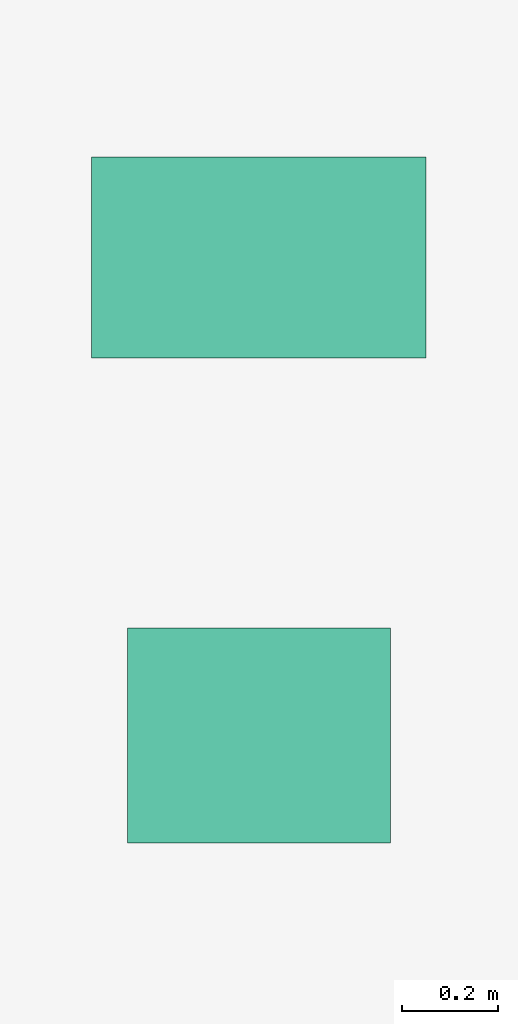
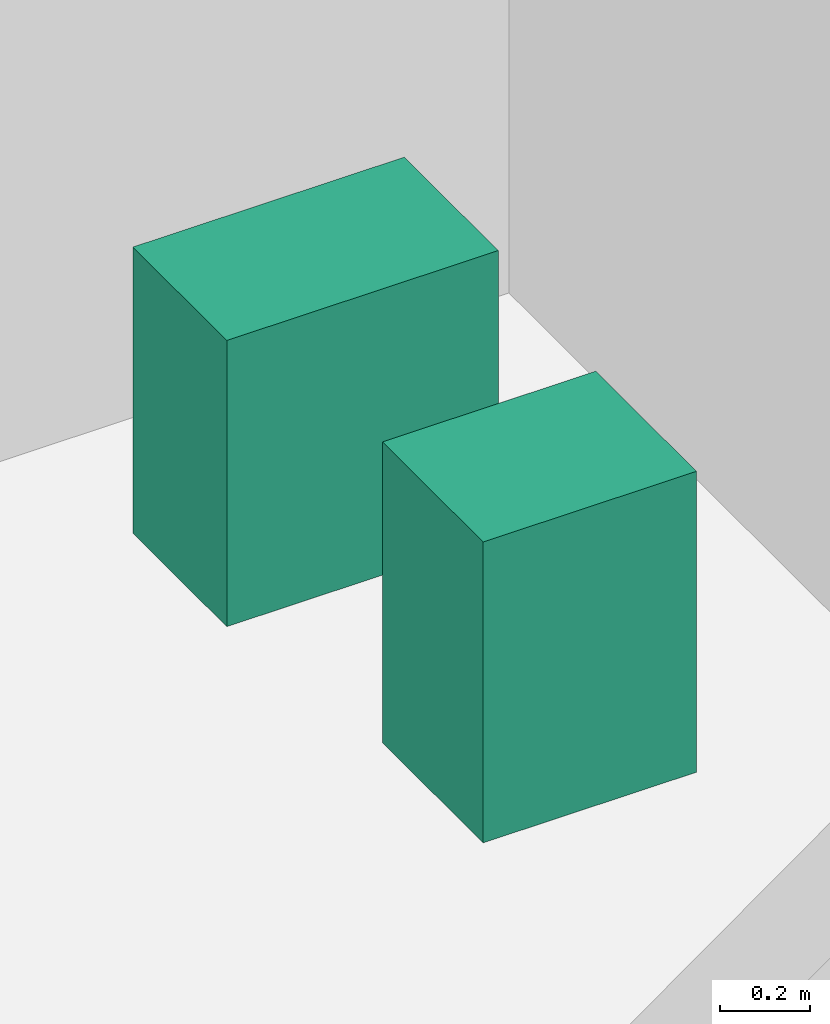
# One storey, part 27 of 27: 2 sanitary terminals.
"""IFC4 building model written with IfcOpenShell, lengths in metres."""

from ifc_helpers import new_model, si_unit, direction, frame, origin, origin_2d, place, context, subcontext, project, spatial, rectangle, extrude, source, transform, mapped, material, type_object, element, save


model = new_model("IFC4")

# Units and contexts
model_context = context("Model", 3, precision=1e-05, world=origin(), true_north=direction((0.0, 1.0)))
body_context = subcontext(model_context, "Body", "Model", "MODEL_VIEW")
ifc_project = project(units=[si_unit("LENGTHUNIT", "METRE"), si_unit("AREAUNIT", "SQUARE_METRE"), si_unit("VOLUMEUNIT", "CUBIC_METRE"), si_unit("PLANEANGLEUNIT", "RADIAN"), si_unit("MASSUNIT", "GRAM", prefix="KILO")], contexts=[model_context])

# Site, building, storey
site_placement = place(None, origin())
site = spatial("IfcSite", under=ifc_project, at=site_placement, CompositionType="ELEMENT")
building_placement = place(site_placement, origin())
building = spatial("IfcBuilding", under=site, at=building_placement, Name="Sumidabori Civic Tower", CompositionType="ELEMENT")
storey_placement = place(building_placement, frame((0.0, 0.0, 156.800048828125)))
storey = spatial("IfcBuildingStorey", under=building, at=storey_placement, Name="L40", CompositionType="ELEMENT", Elevation=156.800048828125)

# Sanitary terminals
ifc_material = material(Name="Vitreous Sanitary Porcelain")
sanitary_terminal_type_1 = type_object("IfcSanitaryTerminalType", Name="SN-WC-1", PredefinedType="TOILETPAN", material=ifc_material)
shared_shape_1 = source(origin(), body_context, "Body", "SweptSolid", [
    extrude(rectangle(XDim=0.699951171875, YDim=0.419921875, at=origin_2d()), origin(), (0.0, 0.0, 1.0), 0.780029296875),
])
sanitary_terminal_1_placement = place(storey_placement, frame((10.800048828125, 21.85009765625, 0.0), z_axis=(0.0, 0.0, 1.0), x_axis=(1.0, 0.0, 0.0)))
element("IfcSanitaryTerminal", 1, at=sanitary_terminal_1_placement, inside=storey, type_object=sanitary_terminal_type_1, Name="Accessible WC Pan L40", PredefinedType="TOILETPAN", context=body_context, shape_type="MappedRepresentation", body=[
    mapped(shared_shape_1, transform((0.0, 0.0, 0.0), x_axis=(1.0, 0.0, 0.0), y_axis=(0.0, 1.0, 0.0), z_axis=(0.0, 0.0, 1.0), scale=1.0)),
])
sanitary_terminal_type_2 = type_object("IfcSanitaryTerminalType", Name="SN-BAS-1", PredefinedType="WASHHANDBASIN", material=ifc_material)
shared_shape_2 = source(origin(), body_context, "Body", "SweptSolid", [
    extrude(rectangle(XDim=0.550048828125, YDim=0.449951171875, at=origin_2d()), origin(), (0.0, 0.0, 1.0), 0.820068359375),
])
sanitary_terminal_2_placement = place(storey_placement, frame((10.800048828125, 20.85009765625, 0.0), z_axis=(0.0, 0.0, 1.0), x_axis=(1.0, 0.0, 0.0)))
element("IfcSanitaryTerminal", 2, at=sanitary_terminal_2_placement, inside=storey, type_object=sanitary_terminal_type_2, Name="Accessible Basin L40", PredefinedType="WASHHANDBASIN", context=body_context, shape_type="MappedRepresentation", body=[
    mapped(shared_shape_2, transform((0.0, 0.0, 0.0), x_axis=(1.0, 0.0, 0.0), y_axis=(0.0, 1.0, 0.0), z_axis=(0.0, 0.0, 1.0), scale=1.0)),
])

save(model, "model.ifc")
